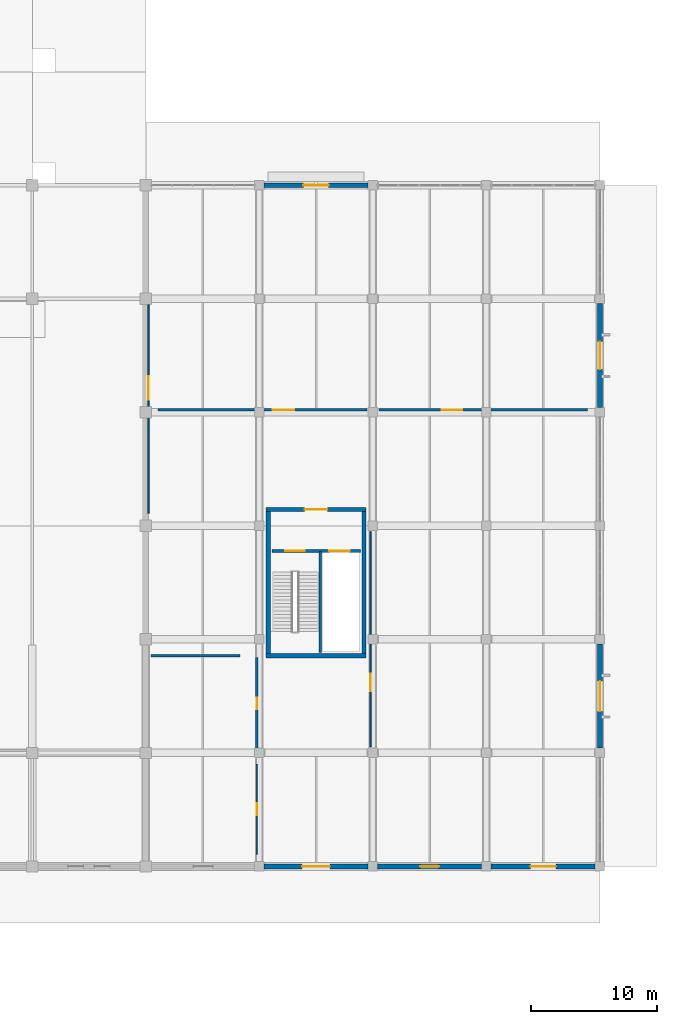
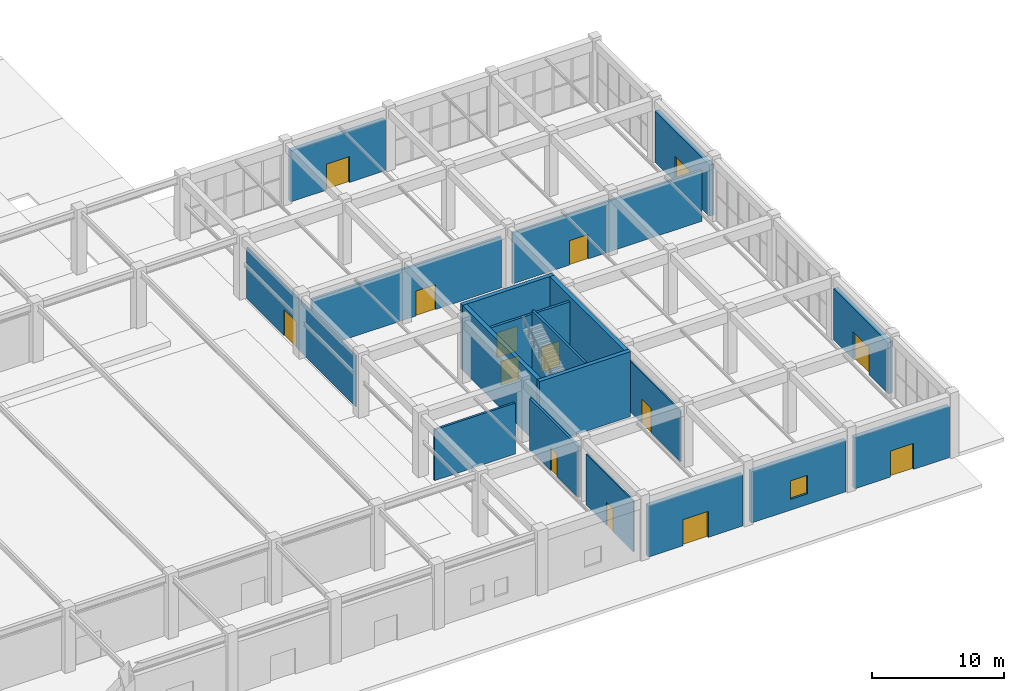
# One storey, part 65 of 91: 19 walls, 14 doors, 1 window, 15 openings.
"""IFC4 building model written with IfcOpenShell, lengths in metres."""

import ifcopenshell
import ifcopenshell.guid

model = None  # the IFC model being written
_history = None  # IfcOwnerHistory: only IFC2X3 demands one
_inside = {}  # id of a spatial element -> (the spatial element, [elements in it])
_under = {}  # id of a project, library or spatial element -> (it, [spatial elements below it])
_declared = {}  # id of a project -> (the project, [libraries it declares])
_typed = {}  # id of a type object -> (the type object, [elements of that type])
_made_of = {}  # id of a material, layer set ... -> (it, [elements and type objects made of it])


def new_model(schema):
    """Start an empty IFC model of exactly this schema.

    Asked for "IFC4X3", IfcOpenShell would pick the latest addendum, in which some entities
    have other attributes; the version numbers below select the first issue.
    IFC2X3 requires an IfcOwnerHistory on every rooted entity: one is made here for all.
    """
    global model, _history
    if schema == "IFC4X3":
        model = ifcopenshell.file(schema_version=(4, 3, 0, 0))
    else:
        model = ifcopenshell.file(schema=schema)
    _inside.clear()
    _under.clear()
    _declared.clear()
    _typed.clear()
    _made_of.clear()
    _history = None
    if model.schema == "IFC2X3":
        org = make("IfcOrganization", Name="unknown")
        user = make(
            "IfcPersonAndOrganization",
            ThePerson=make("IfcPerson", FamilyName="unknown"),
            TheOrganization=org,
        )
        app = make(
            "IfcApplication",
            ApplicationDeveloper=org,
            Version="unknown",
            ApplicationFullName="unknown",
            ApplicationIdentifier="unknown",
        )
        _history = make(
            "IfcOwnerHistory",
            OwningUser=user,
            OwningApplication=app,
            ChangeAction="ADDED",
            CreationDate=0,
        )
    return model


def make(cls, **values):
    """One entity of the class cls with the attributes given. An attribute that is None is left unset."""
    return model.create_entity(
        cls, **{name: value for name, value in values.items() if value is not None}
    )


def rooted(cls, **values):
    """An entity with a GlobalId (a new one), such as an element, a storey or a relation."""
    return make(cls, GlobalId=ifcopenshell.guid.new(), OwnerHistory=_history, **values)


def si_unit(unit_type, name, prefix=None):
    """IfcSIUnit, for example si_unit("LENGTHUNIT", "METRE", prefix="MILLI")."""
    return make("IfcSIUnit", UnitType=unit_type, Prefix=prefix, Name=name)


def assignment(units):
    """IfcUnitAssignment: the units of a project."""
    return None if units is None else make("IfcUnitAssignment", Units=units)


def point(xyz):
    """IfcCartesianPoint."""
    return None if xyz is None else make("IfcCartesianPoint", Coordinates=xyz)


def direction(xyz):
    """IfcDirection."""
    return None if xyz is None else make("IfcDirection", DirectionRatios=xyz)


def frame(location, z_axis=None, x_axis=None):
    """IfcAxis2Placement3D, a coordinate frame: its origin and axes. An axis left out is left unset."""
    return make(
        "IfcAxis2Placement3D",
        Location=point(location),
        Axis=direction(z_axis),
        RefDirection=direction(x_axis),
    )


def frame_2d(location, x_axis=None):
    """IfcAxis2Placement2D, a coordinate frame in the plane: its origin and x axis."""
    return make(
        "IfcAxis2Placement2D", Location=point(location), RefDirection=direction(x_axis)
    )


def origin():
    """The frame at (0, 0, 0) with its axes left unset."""
    return frame((0.0, 0.0, 0.0))


def place(relative_to, where):
    """IfcLocalPlacement: puts the frame where relative to a parent placement (None: the world)."""
    return make(
        "IfcLocalPlacement", PlacementRelTo=relative_to, RelativePlacement=where
    )


def context(
    kind, dimensions, precision=None, world=None, true_north=None, identifier=None
):
    """IfcGeometricRepresentationContext, for example the 3D "Model" context."""
    return make(
        "IfcGeometricRepresentationContext",
        ContextIdentifier=identifier,
        ContextType=kind,
        CoordinateSpaceDimension=dimensions,
        Precision=precision,
        WorldCoordinateSystem=world,
        TrueNorth=true_north,
    )


def subcontext(parent, identifier, kind, view, scale=None):
    """IfcGeometricRepresentationSubContext, for example "Body" below "Model"."""
    return make(
        "IfcGeometricRepresentationSubContext",
        ContextIdentifier=identifier,
        ContextType=kind,
        ParentContext=parent,
        TargetScale=scale,
        TargetView=view,
    )


def project(units=None, contexts=None):
    """IfcProject with its units and contexts."""
    return rooted(
        "IfcProject",
        Name="project",
        RepresentationContexts=contexts,
        UnitsInContext=assignment(units),
    )


def spatial(cls, under=None, at=None, **own):
    """A site, building, storey or space (cls), placed at a placement, below another one or the project."""
    s = rooted(cls, ObjectPlacement=at, **own)
    if under is not None:
        _under.setdefault(under.id(), (under, []))[1].append(s)
    return s


def profile(cls, at=None, kind="AREA", **sizes):
    """A parametric profile (cls). Its sizes go by their IFC names, for example OverallWidth=200.0."""
    return make(cls, ProfileType=kind, Position=at, **sizes)


def rectangle(**sizes):
    """IfcRectangleProfileDef."""
    return profile("IfcRectangleProfileDef", **sizes)


def extrude(swept, where, along, depth):
    """IfcExtrudedAreaSolid: the profile swept, set in the frame where, extruded along a direction by depth."""
    return make(
        "IfcExtrudedAreaSolid",
        SweptArea=swept,
        Position=where,
        ExtrudedDirection=direction(along),
        Depth=depth,
    )


def shape(context_of_items, identifier, shape_type, items):
    """IfcShapeRepresentation: the items that make up one representation, for example the "Body"."""
    return make(
        "IfcShapeRepresentation",
        ContextOfItems=context_of_items,
        RepresentationIdentifier=identifier,
        RepresentationType=shape_type,
        Items=items,
    )


def material(Name=None, Category=None):
    """IfcMaterial."""
    return make("IfcMaterial", Name=Name, Category=Category)


def layer(
    of_material, thickness, ventilated=None, Name=None, Category=None, Priority=None
):
    """IfcMaterialLayer: one layer of a wall or slab, of a material (None: an air gap)."""
    return make(
        "IfcMaterialLayer",
        Material=of_material,
        LayerThickness=thickness,
        IsVentilated=ventilated,
        Name=Name,
        Category=Category,
        Priority=Priority,
    )


def layer_set(layers, Name=None):
    """IfcMaterialLayerSet."""
    return make("IfcMaterialLayerSet", MaterialLayers=layers, LayerSetName=Name)


def made_of(thing, what):
    """Note that an element or type object is made of a material, layer set ...; save() writes the relation."""
    if what is not None:
        _made_of.setdefault(what.id(), (what, []))[1].append(thing)
    return thing


def type_object(cls, material=None, **own):
    """A type object (cls), such as IfcWallType, which elements share."""
    return made_of(rooted(cls, **own), material)


def element(
    cls,
    number,
    at=None,
    inside=None,
    cuts=None,
    type_object=None,
    material=None,
    context=None,
    identifier="Body",
    shape_type=None,
    held_by="IfcProductDefinitionShape",
    body=None,
    shapes=None,
    **own,
):
    """One element of the class cls, such as IfcWall. Its Tag is "e" and its number.

    at: its placement. inside: the storey or other place that contains it. cuts: it is an
    opening in that element (IfcRelVoidsElement). A single representation is given by context,
    identifier, shape_type and body (its items); several are given by shapes. held_by: the class
    of the entity that holds the representations. save() writes the other relations.
    """
    e = rooted(cls, Tag="e%d" % number, ObjectPlacement=at, **own)
    if body is not None:
        shapes = [shape(context, identifier, shape_type, body)]
    if shapes is not None:
        e.Representation = make(held_by, Representations=shapes)
    if inside is not None:
        _inside.setdefault(inside.id(), (inside, []))[1].append(e)
    if cuts is not None:
        rooted(
            "IfcRelVoidsElement", RelatingBuildingElement=cuts, RelatedOpeningElement=e
        )
    if type_object is not None:
        _typed.setdefault(type_object.id(), (type_object, []))[1].append(e)
    return made_of(e, material)


def fill(opening, filler):
    """IfcRelFillsElement: the door or window that sits in an opening."""
    return rooted(
        "IfcRelFillsElement",
        RelatingOpeningElement=opening,
        RelatedBuildingElement=filler,
    )


def aggregate(whole, parts):
    """IfcRelAggregates: a whole, such as a stair, and the parts it consists of."""
    return rooted("IfcRelAggregates", RelatingObject=whole, RelatedObjects=parts)


def save(model, path):
    """Write the relations noted so far, then the file.

    IfcRelAggregates (storeys below a building ...), IfcRelContainedInSpatialStructure (elements
    in a storey), IfcRelDefinesByType, IfcRelAssociatesMaterial and IfcRelDeclares: one each for
    every whole, place, type object, material and project.
    """
    for whole, parts in _under.values():
        aggregate(whole, parts)
    for where, things in _inside.values():
        rooted(
            "IfcRelContainedInSpatialStructure",
            RelatedElements=things,
            RelatingStructure=where,
        )
    for kind, things in _typed.values():
        rooted("IfcRelDefinesByType", RelatedObjects=things, RelatingType=kind)
    for what, things in _made_of.values():
        rooted("IfcRelAssociatesMaterial", RelatedObjects=things, RelatingMaterial=what)
    for by, libraries in _declared.values():
        rooted("IfcRelDeclares", RelatingContext=by, RelatedDefinitions=libraries)
    model.write(path)


model = new_model("IFC4")

# Units and contexts
model_context = context("Model", 3, precision=1e-05, world=origin(), true_north=direction((0.0, 1.0)))
body_context = subcontext(model_context, "Body", "Model", "MODEL_VIEW")
ifc_project = project(units=[si_unit("LENGTHUNIT", "METRE"), si_unit("AREAUNIT", "SQUARE_METRE"), si_unit("VOLUMEUNIT", "CUBIC_METRE"), si_unit("PLANEANGLEUNIT", "RADIAN"), si_unit("MASSUNIT", "GRAM", prefix="KILO")], contexts=[model_context])

# Site, building, storey
site_placement = place(None, origin())
site = spatial("IfcSite", under=ifc_project, at=site_placement, CompositionType="ELEMENT")
building_placement = place(site_placement, origin())
building = spatial("IfcBuilding", under=site, at=building_placement, Name="Dornveld Trade and Exhibition Forum", CompositionType="ELEMENT")
storey_placement = place(building_placement, origin())
storey = spatial("IfcBuildingStorey", under=building, at=storey_placement, Name="L00", CompositionType="ELEMENT", Elevation=0.0)

# Wall
ifc_material_1 = material(Name="Concrete C40/50", Category="concrete")
ifc_layer_1 = layer(ifc_material_1, 0.35009765625)
ifc_layer_set_1 = layer_set([ifc_layer_1], Name="Concrete C40/50")
wall_type_1 = type_object("IfcWallType", Name="WL-CORE-350", PredefinedType="SHEAR", material=ifc_layer_set_1)
wall_1_placement = place(storey_placement, frame((207.52490234375, 16.699951171875, 0.0), z_axis=(0.0, 0.0, 1.0), x_axis=(1.0, 0.0, 0.0)))
element("IfcWall", 1, at=wall_1_placement, inside=storey, type_object=wall_type_1, Name="CORE-11 L00 shear wall S", PredefinedType="SHEAR", context=body_context, shape_type="SweptSolid", body=[
    extrude(rectangle(XDim=7.9501953125, YDim=0.35009765625, at=frame_2d((3.97509765625, 0.0))), origin(), (0.0, 0.0, 1.0), 6.0),
])

# Wall, opening, door
wall_2_placement = place(storey_placement, frame((207.52490234375, 28.300048828125, 0.0), z_axis=(0.0, 0.0, 1.0), x_axis=(1.0, 0.0, 0.0)))
wall_2 = element("IfcWall", 2, at=wall_2_placement, inside=storey, type_object=wall_type_1, Name="CORE-11 L00 shear wall N", PredefinedType="SHEAR", context=body_context, shape_type="SweptSolid", body=[
    extrude(rectangle(XDim=7.9501953125, YDim=0.35009765625, at=frame_2d((3.97509765625, 0.0))), origin(), (0.0, 0.0, 1.0), 6.0),
])
opening_1_placement = place(wall_2_placement, frame((3.074951171875, 0.0, 0.0)))
opening_1 = element("IfcOpeningElement", 3, at=opening_1_placement, cuts=wall_2, Name="Opening CD-11-L00", PredefinedType="OPENING", context=body_context, shape_type="SweptSolid", body=[
    extrude(rectangle(XDim=1.800048828125, YDim=2.300048828125, at=frame_2d((0.89990234375, 1.14990234375))), frame((0.0, 0.18505859375, 0.0), z_axis=(0.0, -1.0, 0.0), x_axis=(1.0, 0.0, 0.0)), (0.0, 0.0, 1.0), 0.3701171875),
])
ifc_material_2 = material(Name="Steel fire-rated double door assembly", Category="steel")
door_type_1 = type_object("IfcDoorType", Name="DR-CORE-180x230", OperationType="NOTDEFINED", PredefinedType="DOOR", material=ifc_material_2)
door_1_placement = place(opening_1_placement, origin())
door_1 = element("IfcDoor", 4, at=door_1_placement, inside=storey, type_object=door_type_1, Name="CORE-11 L00 core lobby double fire door", OperationType="DOUBLE_DOOR_SINGLE_SWING", OverallHeight=2.300048828125, OverallWidth=1.800048828125, PredefinedType="DOOR", context=body_context, shape_type="SweptSolid", body=[
    extrude(rectangle(XDim=1.800048828125, YDim=2.300048828125, at=frame_2d((0.89990234375, 1.14990234375))), frame((0.0, 0.02490234375, 0.0), z_axis=(0.0, -1.0, 0.0), x_axis=(1.0, 0.0, 0.0)), (0.0, 0.0, 1.0), 0.050048828125),
])
fill(opening_1, door_1)

# Walls
for number, where, z_axis, x_axis, name in (
    (5, (207.699951171875, 16.875, 0.0), (0.0, 0.0, 1.0), (0.0, 1.0, 0.0), "CORE-11 L00 shear wall W"),
    (6, (215.300048828125, 16.875, 0.0), (0.0, 0.0, 1.0), (0.0, 1.0, 0.0), "CORE-11 L00 shear wall E"),
):
    element("IfcWall", number, at=place(storey_placement, frame(where, z_axis=z_axis, x_axis=x_axis)), inside=storey, type_object=wall_type_1, Name=name, PredefinedType="SHEAR", context=body_context, shape_type="SweptSolid", body=[
        extrude(rectangle(XDim=11.25, YDim=0.35009765625, at=frame_2d((5.625, 0.0))), origin(), (0.0, 0.0, 1.0), 6.0),
    ])

# Wall, opening, door
ifc_material_3 = material(Name="Precast concrete C50/60", Category="concrete")
ifc_layer_2 = layer(ifc_material_3, 0.340087890625)
ifc_layer_set_2 = layer_set([ifc_layer_2], Name="Precast concrete C50/60")
wall_type_2 = type_object("IfcWallType", Name="WL-EXT-PC340", PredefinedType="SOLIDWALL", material=ifc_layer_set_2)
wall_3_placement = place(storey_placement, frame((215.62548828125, 54.0, 0.0), z_axis=(0.0, 0.0, 1.0), x_axis=(-1.0, 0.0, 0.0)))
wall_3 = element("IfcWall", 7, at=wall_3_placement, inside=storey, type_object=wall_type_2, Name="L00 precast facade wall 7", PredefinedType="SOLIDWALL", context=body_context, shape_type="SweptSolid", body=[
    extrude(rectangle(XDim=8.2509765625, YDim=0.340087890625, at=frame_2d((4.12548828125, 0.0))), origin(), (0.0, 0.0, 1.0), 4.719970703125),
])
opening_2_placement = place(wall_3_placement, frame((3.12548828125, 0.0, 0.0)))
opening_2 = element("IfcOpeningElement", 8, at=opening_2_placement, cuts=wall_3, Name="Opening ED-03", PredefinedType="OPENING", context=body_context, shape_type="SweptSolid", body=[
    extrude(rectangle(XDim=2.0, YDim=2.39990234375, at=frame_2d((1.0, 1.199951171875))), frame((0.0, 0.179931640625, 0.0), z_axis=(0.0, -1.0, 0.0), x_axis=(1.0, 0.0, 0.0)), (0.0, 0.0, 1.0), 0.360107421875),
])
ifc_material_4 = material(Name="Dark-bronze anodised aluminium and laminated safety glass", Category="aluminium")
door_type_2 = type_object("IfcDoorType", Name="DR-EXT-200x240", OperationType="NOTDEFINED", PredefinedType="DOOR", material=ifc_material_4)
door_2_placement = place(opening_2_placement, frame((2.0, 0.0, 0.0), z_axis=(0.0, 0.0, 1.0), x_axis=(-1.0, 0.0, 0.0)))
door_2 = element("IfcDoor", 9, at=door_2_placement, inside=storey, type_object=door_type_2, Name="Ground final exit double door 3", OperationType="DOUBLE_DOOR_SINGLE_SWING", OverallHeight=2.39990234375, OverallWidth=2.0, PredefinedType="DOOR", context=body_context, shape_type="SweptSolid", body=[
    extrude(rectangle(XDim=2.0, YDim=2.39990234375, at=frame_2d((1.0, 1.199951171875))), frame((0.0, 0.02490234375, 0.0), z_axis=(0.0, -1.0, 0.0), x_axis=(1.0, 0.0, 0.0)), (0.0, 0.0, 1.0), 0.050048828125),
])
fill(opening_2, door_2)

ifc_material_5 = material(Name="Precast concrete C50/60", Category="concrete")
ifc_layer_3 = layer(ifc_material_5, 0.3798828125)
ifc_layer_set_3 = layer_set([ifc_layer_3], Name="Precast concrete C50/60")
wall_type_3 = type_object("IfcWallType", Name="WL-EXT-PC380", PredefinedType="SOLIDWALL", material=ifc_layer_set_3)
wall_4_placement = place(storey_placement, frame((234.0, 9.37451171875, 0.0), z_axis=(0.0, 0.0, 1.0), x_axis=(0.0, 1.0, 0.0)))
wall_4 = element("IfcWall", 10, at=wall_4_placement, inside=storey, type_object=wall_type_3, Name="L00 precast facade wall 1", PredefinedType="SOLIDWALL", context=body_context, shape_type="SweptSolid", body=[
    extrude(rectangle(XDim=8.2509765625, YDim=0.3798828125, at=frame_2d((4.12548828125, 0.0))), origin(), (0.0, 0.0, 1.0), 4.719970703125),
])
opening_3_placement = place(wall_4_placement, frame((2.925537109375, 0.0, 0.0)))
opening_3 = element("IfcOpeningElement", 11, at=opening_3_placement, cuts=wall_4, Name="Opening ED-01", PredefinedType="OPENING", context=body_context, shape_type="SweptSolid", body=[
    extrude(rectangle(XDim=2.39990234375, YDim=2.5, at=frame_2d((1.199951171875, 1.25))), frame((0.0, 0.199951171875, 0.0), z_axis=(0.0, -1.0, 0.0), x_axis=(1.0, 0.0, 0.0)), (0.0, 0.0, 1.0), 0.39990234375),
])
ifc_material_6 = material(Name="Dark-bronze anodised aluminium and laminated safety glass", Category="aluminium")
door_type_3 = type_object("IfcDoorType", Name="DR-EXT-240x250", OperationType="NOTDEFINED", PredefinedType="DOOR", material=ifc_material_6)
door_3_placement = place(opening_3_placement, frame((2.39990234375, 0.0, 0.0), z_axis=(0.0, 0.0, 1.0), x_axis=(-1.0, 0.0, 0.0)))
door_3 = element("IfcDoor", 12, at=door_3_placement, inside=storey, type_object=door_type_3, Name="Ground final exit double door 1", OperationType="DOUBLE_DOOR_SINGLE_SWING", OverallHeight=2.5, OverallWidth=2.39990234375, PredefinedType="DOOR", context=body_context, shape_type="SweptSolid", body=[
    extrude(rectangle(XDim=2.39990234375, YDim=2.5, at=frame_2d((1.199951171875, 1.25))), frame((0.0, 0.02490234375, 0.0), z_axis=(0.0, -1.0, 0.0), x_axis=(1.0, 0.0, 0.0)), (0.0, 0.0, 1.0), 0.050048828125),
])
fill(opening_3, door_3)

wall_5_placement = place(storey_placement, frame((234.0, 36.37451171875, 0.0), z_axis=(0.0, 0.0, 1.0), x_axis=(0.0, 1.0, 0.0)))
wall_5 = element("IfcWall", 13, at=wall_5_placement, inside=storey, type_object=wall_type_3, Name="L00 precast facade wall 2", PredefinedType="SOLIDWALL", context=body_context, shape_type="SweptSolid", body=[
    extrude(rectangle(XDim=8.2509765625, YDim=0.3798828125, at=frame_2d((4.12548828125, 0.0))), origin(), (0.0, 0.0, 1.0), 4.719970703125),
])
opening_4_placement = place(wall_5_placement, frame((3.025390625, 0.0, 0.0)))
opening_4 = element("IfcOpeningElement", 14, at=opening_4_placement, cuts=wall_5, Name="Opening ED-02", PredefinedType="OPENING", context=body_context, shape_type="SweptSolid", body=[
    extrude(rectangle(XDim=2.199951171875, YDim=2.39990234375, at=frame_2d((1.10009765625, 1.199951171875))), frame((0.0, 0.199951171875, 0.0), z_axis=(0.0, -1.0, 0.0), x_axis=(1.0, 0.0, 0.0)), (0.0, 0.0, 1.0), 0.39990234375),
])
ifc_material_7 = material(Name="Dark-bronze anodised aluminium and laminated safety glass", Category="aluminium")
door_type_4 = type_object("IfcDoorType", Name="DR-EXT-220x240", OperationType="NOTDEFINED", PredefinedType="DOOR", material=ifc_material_7)
door_4_placement = place(opening_4_placement, frame((2.199951171875, 0.0, 0.0), z_axis=(0.0, 0.0, 1.0), x_axis=(-1.0, 0.0, 0.0)))
door_4 = element("IfcDoor", 15, at=door_4_placement, inside=storey, type_object=door_type_4, Name="Ground final exit double door 2", OperationType="DOUBLE_DOOR_SINGLE_SWING", OverallHeight=2.39990234375, OverallWidth=2.199951171875, PredefinedType="DOOR", context=body_context, shape_type="SweptSolid", body=[
    extrude(rectangle(XDim=2.199951171875, YDim=2.39990234375, at=frame_2d((1.10009765625, 1.199951171875))), frame((0.0, 0.02490234375, 0.0), z_axis=(0.0, -1.0, 0.0), x_axis=(1.0, 0.0, 0.0)), (0.0, 0.0, 1.0), 0.050048828125),
])
fill(opening_4, door_4)

wall_6_placement = place(storey_placement, frame((207.37451171875, 0.0, 0.0), z_axis=(0.0, 0.0, 1.0), x_axis=(1.0, 0.0, 0.0)))
wall_6 = element("IfcWall", 16, at=wall_6_placement, inside=storey, type_object=wall_type_3, Name="L00 precast facade wall 97", PredefinedType="SOLIDWALL", context=body_context, shape_type="SweptSolid", body=[
    extrude(rectangle(XDim=8.2509765625, YDim=0.3798828125, at=frame_2d((4.12548828125, 0.0))), origin(), (0.0, 0.0, 1.0), 4.719970703125),
])
opening_5_placement = place(wall_6_placement, frame((3.025390625, 0.0, 0.0)))
opening_5 = element("IfcOpeningElement", 17, at=opening_5_placement, cuts=wall_6, Name="Opening ED-22", PredefinedType="OPENING", context=body_context, shape_type="SweptSolid", body=[
    extrude(rectangle(XDim=2.199951171875, YDim=2.39990234375, at=frame_2d((1.10009765625, 1.199951171875))), frame((0.0, 0.199951171875, 0.0), z_axis=(0.0, -1.0, 0.0), x_axis=(1.0, 0.0, 0.0)), (0.0, 0.0, 1.0), 0.39990234375),
])
door_5_placement = place(opening_5_placement, frame((2.199951171875, 0.0, 0.0), z_axis=(0.0, 0.0, 1.0), x_axis=(-1.0, 0.0, 0.0)))
door_5 = element("IfcDoor", 18, at=door_5_placement, inside=storey, type_object=door_type_4, Name="Ground final exit double door 22", OperationType="DOUBLE_DOOR_SINGLE_SWING", OverallHeight=2.39990234375, OverallWidth=2.199951171875, PredefinedType="DOOR", context=body_context, shape_type="SweptSolid", body=[
    extrude(rectangle(XDim=2.199951171875, YDim=2.39990234375, at=frame_2d((1.10009765625, 1.199951171875))), frame((0.0, 0.02490234375, 0.0), z_axis=(0.0, -1.0, 0.0), x_axis=(1.0, 0.0, 0.0)), (0.0, 0.0, 1.0), 0.050048828125),
])
fill(opening_5, door_5)

# Wall, opening, window
wall_7_placement = place(storey_placement, frame((216.37451171875, 0.0, 0.0), z_axis=(0.0, 0.0, 1.0), x_axis=(1.0, 0.0, 0.0)))
wall_7 = element("IfcWall", 19, at=wall_7_placement, inside=storey, type_object=wall_type_3, Name="L00 precast facade wall 98", PredefinedType="SOLIDWALL", context=body_context, shape_type="SweptSolid", body=[
    extrude(rectangle(XDim=8.2509765625, YDim=0.3798828125, at=frame_2d((4.12548828125, 0.0))), origin(), (0.0, 0.0, 1.0), 4.719970703125),
])
opening_6_placement = place(wall_7_placement, frame((3.37548828125, 0.0, 1.0)))
opening_6 = element("IfcOpeningElement", 20, at=opening_6_placement, cuts=wall_7, Name="Opening W-11", PredefinedType="OPENING", context=body_context, shape_type="SweptSolid", body=[
    extrude(rectangle(XDim=1.5, YDim=1.699951171875, at=frame_2d((0.75, 0.85009765625))), frame((0.0, 0.199951171875, 0.0), z_axis=(0.0, -1.0, 0.0), x_axis=(1.0, 0.0, 0.0)), (0.0, 0.0, 1.0), 0.39990234375),
])
ifc_material_8 = material(Name="Dark-bronze anodised aluminium and low-E glass", Category="aluminium")
window_type = type_object("IfcWindowType", Name="WIN-AL-11", PartitioningType="SINGLE_PANEL", PredefinedType="WINDOW", material=ifc_material_8)
window_placement = place(opening_6_placement, origin())
window = element("IfcWindow", 21, at=window_placement, inside=storey, type_object=window_type, Name="L00 facade window 74", OverallHeight=1.699951171875, OverallWidth=1.5, PartitioningType="SINGLE_PANEL", PredefinedType="WINDOW", context=body_context, shape_type="SweptSolid", body=[
    extrude(rectangle(XDim=1.5, YDim=1.699951171875, at=frame_2d((0.75, 0.85009765625))), frame((0.0, 0.030029296875, 0.0), z_axis=(0.0, -1.0, 0.0), x_axis=(1.0, 0.0, 0.0)), (0.0, 0.0, 1.0), 0.06005859375),
])
fill(opening_6, window)

# Wall, opening, door
wall_8_placement = place(storey_placement, frame((225.37451171875, 0.0, 0.0), z_axis=(0.0, 0.0, 1.0), x_axis=(1.0, 0.0, 0.0)))
wall_8 = element("IfcWall", 22, at=wall_8_placement, inside=storey, type_object=wall_type_3, Name="L00 precast facade wall 99", PredefinedType="SOLIDWALL", context=body_context, shape_type="SweptSolid", body=[
    extrude(rectangle(XDim=8.2509765625, YDim=0.3798828125, at=frame_2d((4.12548828125, 0.0))), origin(), (0.0, 0.0, 1.0), 4.719970703125),
])
opening_7_placement = place(wall_8_placement, frame((3.12548828125, 0.0, 0.0)))
opening_7 = element("IfcOpeningElement", 23, at=opening_7_placement, cuts=wall_8, Name="Opening ED-23", PredefinedType="OPENING", context=body_context, shape_type="SweptSolid", body=[
    extrude(rectangle(XDim=2.0, YDim=2.39990234375, at=frame_2d((1.0, 1.199951171875))), frame((0.0, 0.199951171875, 0.0), z_axis=(0.0, -1.0, 0.0), x_axis=(1.0, 0.0, 0.0)), (0.0, 0.0, 1.0), 0.39990234375),
])
door_6_placement = place(opening_7_placement, frame((2.0, 0.0, 0.0), z_axis=(0.0, 0.0, 1.0), x_axis=(-1.0, 0.0, 0.0)))
door_6 = element("IfcDoor", 24, at=door_6_placement, inside=storey, type_object=door_type_2, Name="Ground final exit double door 23", OperationType="DOUBLE_DOOR_SINGLE_SWING", OverallHeight=2.39990234375, OverallWidth=2.0, PredefinedType="DOOR", context=body_context, shape_type="SweptSolid", body=[
    extrude(rectangle(XDim=2.0, YDim=2.39990234375, at=frame_2d((1.0, 1.199951171875))), frame((0.0, 0.02490234375, 0.0), z_axis=(0.0, -1.0, 0.0), x_axis=(1.0, 0.0, 0.0)), (0.0, 0.0, 1.0), 0.050048828125),
])
fill(opening_7, door_6)

ifc_material_9 = material(Name="Acoustic twin-stud gypsum and mineral wool", Category="gypsum")
ifc_layer_4 = layer(ifc_material_9, 0.215087890625)
ifc_layer_set_4 = layer_set([ifc_layer_4], Name="Acoustic twin-stud gypsum and mineral wool")
wall_type_4 = type_object("IfcWallType", Name="WL-INT-AC215", PredefinedType="PARTITIONING", material=ifc_layer_set_4)
wall_9_placement = place(storey_placement, frame((206.800048828125, 9.280029296875, 0.0), z_axis=(0.0, 0.0, 1.0), x_axis=(0.0, 1.0, 0.0)))
wall_9 = element("IfcWall", 25, at=wall_9_placement, inside=storey, type_object=wall_type_4, Name="L00 interior partition 37", PredefinedType="PARTITIONING", context=body_context, shape_type="SweptSolid", body=[
    extrude(rectangle(XDim=7.300048828125, YDim=0.215087890625, at=frame_2d((3.64990234375, 0.0))), origin(), (0.0, 0.0, 1.0), 4.699951171875),
])
opening_8_placement = place(wall_9_placement, frame((3.18994140625, 0.0, 0.0)))
opening_8 = element("IfcOpeningElement", 26, at=opening_8_placement, cuts=wall_9, Name="Opening WD-03-026", PredefinedType="OPENING", context=body_context, shape_type="SweptSolid", body=[
    extrude(rectangle(XDim=0.919921875, YDim=2.1201171875, at=frame_2d((0.4599609375, 1.06005859375))), frame((0.0, 0.117431640625, 0.0), z_axis=(0.0, -1.0, 0.0), x_axis=(1.0, 0.0, 0.0)), (0.0, 0.0, 1.0), 0.235107421875),
])
ifc_material_10 = material(Name="Laminate sanitary lobby door", Category="wood")
door_type_5 = type_object("IfcDoorType", Name="DR-WC-092x212", OperationType="NOTDEFINED", PredefinedType="DOOR", material=ifc_material_10)
door_7_placement = place(opening_8_placement, origin())
door_7 = element("IfcDoor", 27, at=door_7_placement, inside=storey, type_object=door_type_5, Name="L00 interior room door 26", OperationType="SINGLE_SWING_RIGHT", OverallHeight=2.1201171875, OverallWidth=0.919921875, PredefinedType="DOOR", context=body_context, shape_type="SweptSolid", body=[
    extrude(rectangle(XDim=0.919921875, YDim=2.1201171875, at=frame_2d((0.4599609375, 1.06005859375))), frame((0.0, 0.02490234375, 0.0), z_axis=(0.0, -1.0, 0.0), x_axis=(1.0, 0.0, 0.0)), (0.0, 0.0, 1.0), 0.050048828125),
])
fill(opening_8, door_7)

wall_10_placement = place(storey_placement, frame((198.97998046875, 36.199951171875, 0.0), z_axis=(0.0, 0.0, 1.0), x_axis=(1.0, 0.0, 0.0)))
wall_10 = element("IfcWall", 28, at=wall_10_placement, inside=storey, type_object=wall_type_4, Name="L00 interior partition 100", PredefinedType="PARTITIONING", context=body_context, shape_type="SweptSolid", body=[
    extrude(rectangle(XDim=16.5400390625, YDim=0.215087890625, at=frame_2d((8.27001953125, 0.0))), origin(), (0.0, 0.0, 1.0), 4.699951171875),
])
opening_9_placement = place(wall_10_placement, frame((9.06396484375, 0.0, 0.0)))
opening_9 = element("IfcOpeningElement", 29, at=opening_9_placement, cuts=wall_10, Name="Opening MSD-04-065", PredefinedType="OPENING", context=body_context, shape_type="SweptSolid", body=[
    extrude(rectangle(XDim=1.719970703125, YDim=2.300048828125, at=frame_2d((0.85986328125, 1.14990234375))), frame((0.0, 0.117431640625, 0.0), z_axis=(0.0, -1.0, 0.0), x_axis=(1.0, 0.0, 0.0)), (0.0, 0.0, 1.0), 0.235107421875),
])
ifc_material_11 = material(Name="Acoustic seminar double door", Category="wood")
door_type_6 = type_object("IfcDoorType", Name="DR-SUB-172x230", OperationType="NOTDEFINED", PredefinedType="DOOR", material=ifc_material_11)
door_8_placement = place(opening_9_placement, origin())
door_8 = element("IfcDoor", 30, at=door_8_placement, inside=storey, type_object=door_type_6, Name="L00 interior room door 65", OperationType="DOUBLE_DOOR_SINGLE_SWING", OverallHeight=2.300048828125, OverallWidth=1.719970703125, PredefinedType="DOOR", context=body_context, shape_type="SweptSolid", body=[
    extrude(rectangle(XDim=1.719970703125, YDim=2.300048828125, at=frame_2d((0.85986328125, 1.14990234375))), frame((0.0, 0.02490234375, 0.0), z_axis=(0.0, -1.0, 0.0), x_axis=(1.0, 0.0, 0.0)), (0.0, 0.0, 1.0), 0.050048828125),
])
fill(opening_9, door_8)

# Wall
ifc_material_12 = material(Name="Fire-rated steel-stud gypsum board", Category="steel")
ifc_layer_5 = layer(ifc_material_12, 0.18505859375)
ifc_layer_set_5 = layer_set([ifc_layer_5], Name="Fire-rated steel-stud gypsum board")
wall_type_5 = type_object("IfcWallType", Name="WL-INT-FR185", PredefinedType="PARTITIONING", material=ifc_layer_set_5)
wall_11_placement = place(storey_placement, frame((198.419921875, 16.699951171875, 0.0), z_axis=(0.0, 0.0, 1.0), x_axis=(1.0, 0.0, 0.0)))
element("IfcWall", 31, at=wall_11_placement, inside=storey, type_object=wall_type_5, Name="L00 interior partition 5", PredefinedType="PARTITIONING", context=body_context, shape_type="SweptSolid", body=[
    extrude(rectangle(XDim=7.06005859375, YDim=0.18505859375, at=frame_2d((3.530029296875, 0.0))), origin(), (0.0, 0.0, 1.0), 4.699951171875),
])

# Wall, opening, door
wall_12_placement = place(storey_placement, frame((216.47998046875, 36.199951171875, 0.0), z_axis=(0.0, 0.0, 1.0), x_axis=(1.0, 0.0, 0.0)))
wall_12 = element("IfcWall", 32, at=wall_12_placement, inside=storey, type_object=wall_type_5, Name="L00 interior partition 101", PredefinedType="PARTITIONING", context=body_context, shape_type="SweptSolid", body=[
    extrude(rectangle(XDim=16.5400390625, YDim=0.18505859375, at=frame_2d((8.27001953125, 0.0))), origin(), (0.0, 0.0, 1.0), 4.699951171875),
])
opening_10_placement = place(wall_12_placement, frame((4.97900390625, 0.0, 0.0)))
opening_10 = element("IfcOpeningElement", 33, at=opening_10_placement, cuts=wall_12, Name="Opening MSD-05-066", PredefinedType="OPENING", context=body_context, shape_type="SweptSolid", body=[
    extrude(rectangle(XDim=1.6201171875, YDim=2.25, at=frame_2d((0.81005859375, 1.125))), frame((0.0, 0.1025390625, 0.0), z_axis=(0.0, -1.0, 0.0), x_axis=(1.0, 0.0, 0.0)), (0.0, 0.0, 1.0), 0.205078125),
])
ifc_material_13 = material(Name="Acoustic seminar double door", Category="wood")
door_type_7 = type_object("IfcDoorType", Name="DR-SUB-162x225", OperationType="NOTDEFINED", PredefinedType="DOOR", material=ifc_material_13)
door_9_placement = place(opening_10_placement, origin())
door_9 = element("IfcDoor", 34, at=door_9_placement, inside=storey, type_object=door_type_7, Name="L00 interior room door 66", OperationType="SINGLE_SWING_RIGHT", OverallHeight=2.25, OverallWidth=1.6201171875, PredefinedType="DOOR", context=body_context, shape_type="SweptSolid", body=[
    extrude(rectangle(XDim=1.6201171875, YDim=2.25, at=frame_2d((0.81005859375, 1.125))), frame((0.0, 0.02490234375, 0.0), z_axis=(0.0, -1.0, 0.0), x_axis=(1.0, 0.0, 0.0)), (0.0, 0.0, 1.0), 0.050048828125),
])
fill(opening_10, door_9)

ifc_material_14 = material(Name="Framed acoustic glass office partition", Category="glass")
ifc_layer_6 = layer(ifc_material_14, 0.10498046875)
ifc_layer_set_6 = layer_set([ifc_layer_6], Name="Framed acoustic glass office partition")
wall_type_6 = type_object("IfcWallType", Name="WL-INT-GL105", PredefinedType="PARTITIONING", material=ifc_layer_set_6)
wall_13_placement = place(storey_placement, frame((206.800048828125, 0.97998046875, 0.0), z_axis=(0.0, 0.0, 1.0), x_axis=(0.0, 1.0, 0.0)))
wall_13 = element("IfcWall", 35, at=wall_13_placement, inside=storey, type_object=wall_type_6, Name="L00 interior partition 36", PredefinedType="PARTITIONING", context=body_context, shape_type="SweptSolid", body=[
    extrude(rectangle(XDim=7.14013671875, YDim=0.10498046875, at=frame_2d((3.570068359375, 0.0))), origin(), (0.0, 0.0, 1.0), 4.699951171875),
])
opening_11_placement = place(wall_13_placement, frame((3.090087890625, 0.0, 0.0)))
opening_11 = element("IfcOpeningElement", 36, at=opening_11_placement, cuts=wall_13, Name="Opening WD-02-025", PredefinedType="OPENING", context=body_context, shape_type="SweptSolid", body=[
    extrude(rectangle(XDim=0.9599609375, YDim=2.1201171875, at=frame_2d((0.47998046875, 1.06005859375))), frame((0.0, 0.0625, 0.0), z_axis=(0.0, -1.0, 0.0), x_axis=(1.0, 0.0, 0.0)), (0.0, 0.0, 1.0), 0.125),
])
ifc_material_15 = material(Name="Laminate sanitary lobby door", Category="wood")
door_type_8 = type_object("IfcDoorType", Name="DR-WC-096x212", OperationType="NOTDEFINED", PredefinedType="DOOR", material=ifc_material_15)
door_10_placement = place(opening_11_placement, origin())
door_10 = element("IfcDoor", 37, at=door_10_placement, inside=storey, type_object=door_type_8, Name="L00 interior room door 25", OperationType="SINGLE_SWING_LEFT", OverallHeight=2.1201171875, OverallWidth=0.9599609375, PredefinedType="DOOR", context=body_context, shape_type="SweptSolid", body=[
    extrude(rectangle(XDim=0.9599609375, YDim=2.1201171875, at=frame_2d((0.47998046875, 1.06005859375))), frame((0.0, 0.02490234375, 0.0), z_axis=(0.0, -1.0, 0.0), x_axis=(1.0, 0.0, 0.0)), (0.0, 0.0, 1.0), 0.050048828125),
])
fill(opening_11, door_10)

# Wall, openings, doors
ifc_material_16 = material(Name="Concrete C40/50", Category="concrete")
ifc_layer_7 = layer(ifc_material_16, 0.219970703125)
ifc_layer_set_7 = layer_set([ifc_layer_7], Name="Concrete C40/50")
wall_type_7 = type_object("IfcWallType", Name="WL-INT-LOB220", PredefinedType="SOLIDWALL", material=ifc_layer_set_7)
wall_14_placement = place(storey_placement, frame((208.0, 25.0, 0.0), z_axis=(0.0, 0.0, 1.0), x_axis=(1.0, 0.0, 0.0)))
wall_14 = element("IfcWall", 38, at=wall_14_placement, inside=storey, type_object=wall_type_7, Name="CORE-11 L00 protected lobby bulkhead wall", PredefinedType="SOLIDWALL", context=body_context, shape_type="SweptSolid", body=[
    extrude(rectangle(XDim=7.0, YDim=0.219970703125, at=frame_2d((3.5, 0.0))), origin(), (0.0, 0.0, 1.0), 5.679931640625),
])
opening_12_placement = place(wall_14_placement, frame((1.050048828125, 0.0, 0.0)))
opening_12 = element("IfcOpeningElement", 39, at=opening_12_placement, cuts=wall_14, Name="Opening SD-11-L00", PredefinedType="OPENING", context=body_context, shape_type="SweptSolid", body=[
    extrude(rectangle(XDim=1.550048828125, YDim=2.199951171875, at=frame_2d((0.77490234375, 1.10009765625))), frame((0.0, 0.119873046875, 0.0), z_axis=(0.0, -1.0, 0.0), x_axis=(1.0, 0.0, 0.0)), (0.0, 0.0, 1.0), 0.239990234375),
])
opening_13_placement = place(wall_14_placement, frame((4.550048828125, 0.0, 0.0)))
opening_13 = element("IfcOpeningElement", 40, at=opening_13_placement, cuts=wall_14, Name="Opening LD-11-L00", PredefinedType="OPENING", context=body_context, shape_type="SweptSolid", body=[
    extrude(rectangle(XDim=1.60009765625, YDim=2.300048828125, at=frame_2d((0.800048828125, 1.14990234375))), frame((0.0, 0.119873046875, 0.0), z_axis=(0.0, -1.0, 0.0), x_axis=(1.0, 0.0, 0.0)), (0.0, 0.0, 1.0), 0.239990234375),
])
ifc_material_17 = material(Name="Heavy-duty steel sliding freight lift landing door", Category="steel")
door_type_9 = type_object("IfcDoorType", Name="DR-LIFT-160x230", OperationType="NOTDEFINED", PredefinedType="DOOR", material=ifc_material_17)
door_11_placement = place(opening_13_placement, origin())
door_11 = element("IfcDoor", 41, at=door_11_placement, inside=storey, type_object=door_type_9, Name="CORE-11 L00 lift sliding landing door", OperationType="SLIDING_TO_LEFT", OverallHeight=2.300048828125, OverallWidth=1.60009765625, PredefinedType="DOOR", context=body_context, shape_type="SweptSolid", body=[
    extrude(rectangle(XDim=1.60009765625, YDim=2.300048828125, at=frame_2d((0.800048828125, 1.14990234375))), frame((0.0, 0.02490234375, 0.0), z_axis=(0.0, -1.0, 0.0), x_axis=(1.0, 0.0, 0.0)), (0.0, 0.0, 1.0), 0.050048828125),
])
fill(opening_13, door_11)
ifc_material_18 = material(Name="Steel fire-rated stair door assembly", Category="steel")
door_type_10 = type_object("IfcDoorType", Name="DR-STAIR-155x220", OperationType="NOTDEFINED", PredefinedType="DOOR", material=ifc_material_18)
door_12_placement = place(opening_12_placement, origin())
door_12 = element("IfcDoor", 42, at=door_12_placement, inside=storey, type_object=door_type_10, Name="CORE-11 L00 protected stair door", OperationType="SINGLE_SWING_LEFT", OverallHeight=2.199951171875, OverallWidth=1.550048828125, PredefinedType="DOOR", context=body_context, shape_type="SweptSolid", body=[
    extrude(rectangle(XDim=1.550048828125, YDim=2.199951171875, at=frame_2d((0.77490234375, 1.10009765625))), frame((0.0, 0.02490234375, 0.0), z_axis=(0.0, -1.0, 0.0), x_axis=(1.0, 0.0, 0.0)), (0.0, 0.0, 1.0), 0.050048828125),
])
fill(opening_12, door_12)

# Wall
ifc_material_19 = material(Name="Concrete C40/50", Category="concrete")
ifc_layer_8 = layer(ifc_material_19, 0.199951171875)
ifc_layer_set_8 = layer_set([ifc_layer_8], Name="Concrete C40/50")
wall_type_8 = type_object("IfcWallType", Name="WL-INT-SHAFT200", PredefinedType="SOLIDWALL", material=ifc_layer_set_8)
wall_15_placement = place(storey_placement, frame((211.820068359375, 16.949951171875, 0.0), z_axis=(0.0, 0.0, 1.0), x_axis=(0.0, 1.0, 0.0)))
element("IfcWall", 43, at=wall_15_placement, inside=storey, type_object=wall_type_8, Name="CORE-11 L00 lift-stair structural shaft wall", PredefinedType="SOLIDWALL", context=body_context, shape_type="SweptSolid", body=[
    extrude(rectangle(XDim=8.0, YDim=0.199951171875, at=frame_2d((4.0, 0.0))), origin(), (0.0, 0.0, 1.0), 6.0),
])

# Wall, opening, door
ifc_material_20 = material(Name="Moisture-resistant wet-room partition", Category="gypsum")
ifc_layer_9 = layer(ifc_material_20, 0.114990234375)
ifc_layer_set_9 = layer_set([ifc_layer_9], Name="Moisture-resistant wet-room partition")
wall_type_9 = type_object("IfcWallType", Name="WL-INT-WC115", PredefinedType="PARTITIONING", material=ifc_layer_set_9)
wall_16_placement = place(storey_placement, frame((215.800048828125, 9.47998046875, 0.0), z_axis=(0.0, 0.0, 1.0), x_axis=(0.0, 1.0, 0.0)))
wall_16 = element("IfcWall", 44, at=wall_16_placement, inside=storey, type_object=wall_type_9, Name="L00 interior partition 35", PredefinedType="PARTITIONING", context=body_context, shape_type="SweptSolid", body=[
    extrude(rectangle(XDim=17.0400390625, YDim=0.114990234375, at=frame_2d((8.52001953125, 0.0))), origin(), (0.0, 0.0, 1.0), 4.699951171875),
])
opening_14_placement = place(wall_16_placement, frame((4.412109375, 0.0, 0.0)))
opening_14 = element("IfcOpeningElement", 45, at=opening_14_placement, cuts=wall_16, Name="Opening KD-01-024", PredefinedType="OPENING", context=body_context, shape_type="SweptSolid", body=[
    extrude(rectangle(XDim=1.39990234375, YDim=2.25, at=frame_2d((0.699951171875, 1.125))), frame((0.0, 0.0673828125, 0.0), z_axis=(0.0, -1.0, 0.0), x_axis=(1.0, 0.0, 0.0)), (0.0, 0.0, 1.0), 0.135009765625),
])
ifc_material_21 = material(Name="Stainless-clad catering double-action door", Category="steel")
door_type_11 = type_object("IfcDoorType", Name="DR-KIT-140x225", OperationType="NOTDEFINED", PredefinedType="DOOR", material=ifc_material_21)
door_13_placement = place(opening_14_placement, origin())
door_13 = element("IfcDoor", 46, at=door_13_placement, inside=storey, type_object=door_type_11, Name="L00 interior room door 24", OperationType="SINGLE_SWING_RIGHT", OverallHeight=2.25, OverallWidth=1.39990234375, PredefinedType="DOOR", context=body_context, shape_type="SweptSolid", body=[
    extrude(rectangle(XDim=1.39990234375, YDim=2.25, at=frame_2d((0.699951171875, 1.125))), frame((0.0, 0.02490234375, 0.0), z_axis=(0.0, -1.0, 0.0), x_axis=(1.0, 0.0, 0.0)), (0.0, 0.0, 1.0), 0.050048828125),
])
fill(opening_14, door_13)

ifc_material_22 = material(Name="Moisture-resistant wet-room partition", Category="gypsum")
ifc_layer_10 = layer(ifc_material_22, 0.125)
ifc_layer_set_10 = layer_set([ifc_layer_10], Name="Moisture-resistant wet-room partition")
wall_type_10 = type_object("IfcWallType", Name="WL-INT-WC125", PredefinedType="PARTITIONING", material=ifc_layer_set_10)
wall_17_placement = place(storey_placement, frame((198.199951171875, 28.02001953125, 0.0), z_axis=(0.0, 0.0, 1.0), x_axis=(0.0, 1.0, 0.0)))
wall_17 = element("IfcWall", 47, at=wall_17_placement, inside=storey, type_object=wall_type_10, Name="L00 interior partition 34", PredefinedType="PARTITIONING", context=body_context, shape_type="SweptSolid", body=[
    extrude(rectangle(XDim=16.5, YDim=0.125, at=frame_2d((8.25, 0.0))), origin(), (0.0, 0.0, 1.0), 4.699951171875),
])
opening_15_placement = place(wall_17_placement, frame((8.97509765625, 0.0, 0.0)))
opening_15 = element("IfcOpeningElement", 48, at=opening_15_placement, cuts=wall_17, Name="Opening RD-01-023", PredefinedType="OPENING", context=body_context, shape_type="SweptSolid", body=[
    extrude(rectangle(XDim=1.85009765625, YDim=2.39990234375, at=frame_2d((0.925048828125, 1.199951171875))), frame((0.0, 0.072509765625, 0.0), z_axis=(0.0, -1.0, 0.0), x_axis=(1.0, 0.0, 0.0)), (0.0, 0.0, 1.0), 0.14501953125),
])
ifc_material_23 = material(Name="Bronze-framed glazed retail entrance door", Category="aluminium")
door_type_12 = type_object("IfcDoorType", Name="DR-RET-185x240", OperationType="NOTDEFINED", PredefinedType="DOOR", material=ifc_material_23)
door_14_placement = place(opening_15_placement, origin())
door_14 = element("IfcDoor", 49, at=door_14_placement, inside=storey, type_object=door_type_12, Name="L00 interior room door 23", OperationType="DOUBLE_DOOR_SINGLE_SWING", OverallHeight=2.39990234375, OverallWidth=1.85009765625, PredefinedType="DOOR", context=body_context, shape_type="SweptSolid", body=[
    extrude(rectangle(XDim=1.85009765625, YDim=2.39990234375, at=frame_2d((0.925048828125, 1.199951171875))), frame((0.0, 0.02490234375, 0.0), z_axis=(0.0, -1.0, 0.0), x_axis=(1.0, 0.0, 0.0)), (0.0, 0.0, 1.0), 0.050048828125),
])
fill(opening_15, door_14)

save(model, "model.ifc")
